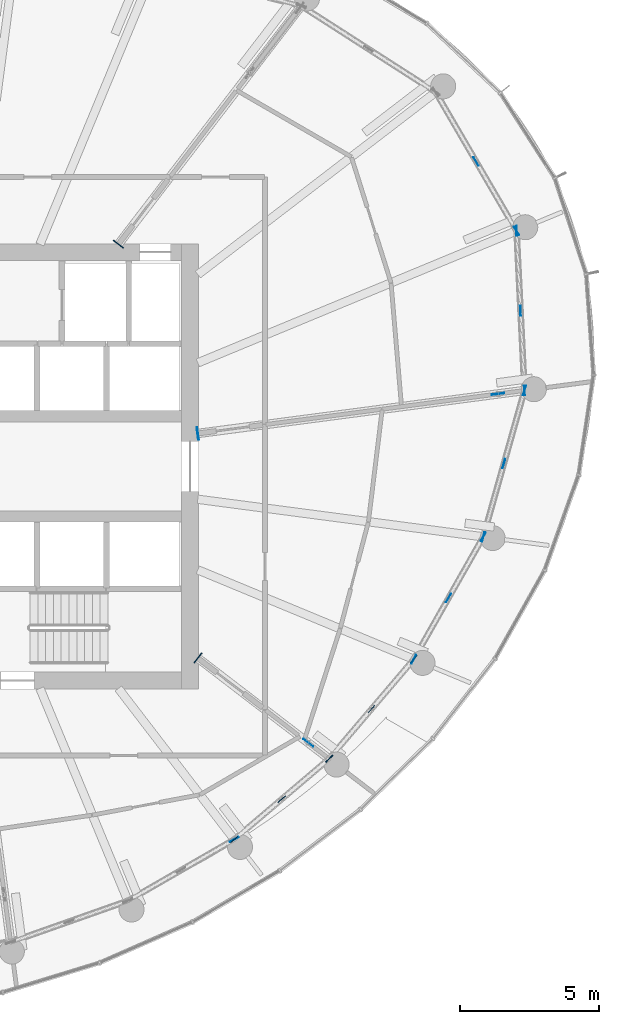
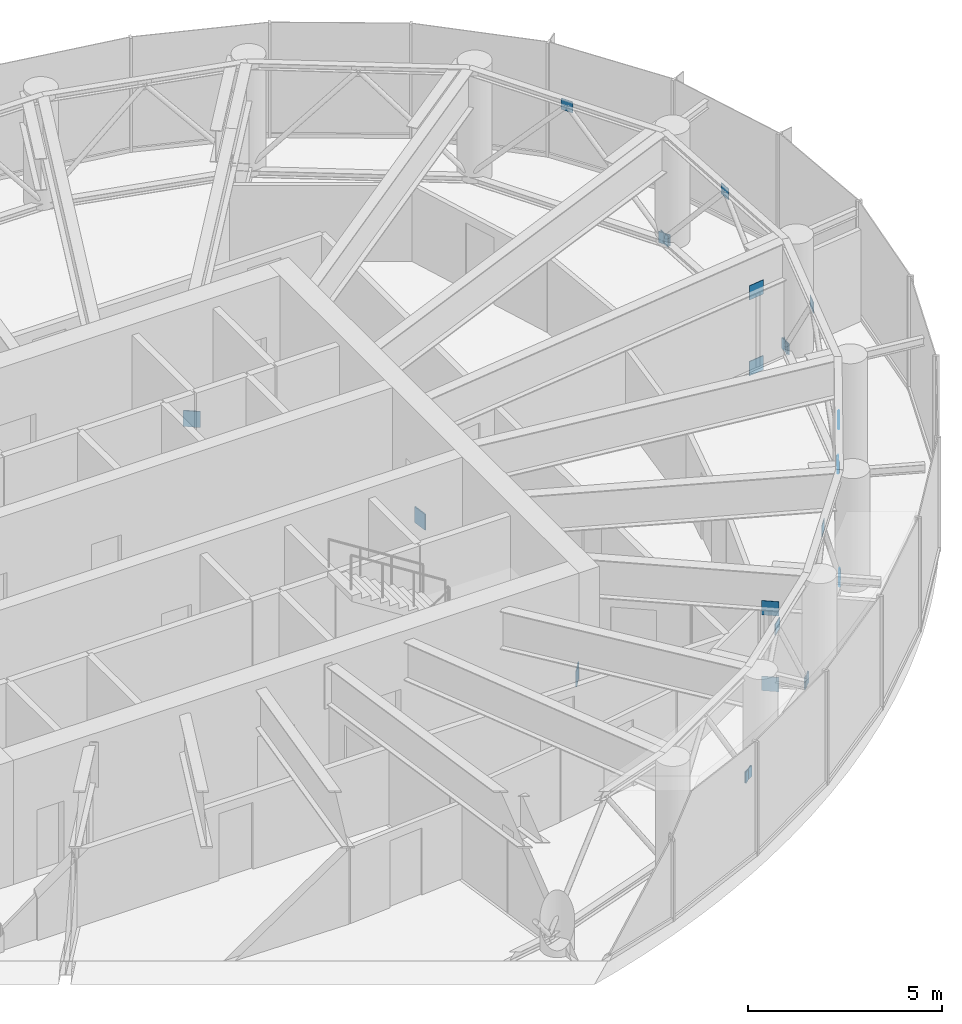
# One storey, part 23 of 26: 25 discrete accessories.
"""IFC4 building model written with IfcOpenShell, lengths in metres."""

from ifc_helpers import new_model, si_unit, direction, frame, origin, origin_2d, place, context, subcontext, project, spatial, rectangle, extrude, source, transform, mapped, material, layer, layer_set, type_object, element, save


model = new_model("IFC4")

# Units and contexts
model_context = context("Model", 3, precision=1e-05, world=origin(), true_north=direction((0.0, 1.0)))
body_context = subcontext(model_context, "Body", "Model", "MODEL_VIEW")
ifc_project = project(units=[si_unit("LENGTHUNIT", "METRE"), si_unit("AREAUNIT", "SQUARE_METRE"), si_unit("VOLUMEUNIT", "CUBIC_METRE"), si_unit("PLANEANGLEUNIT", "RADIAN"), si_unit("MASSUNIT", "GRAM", prefix="KILO")], contexts=[model_context])

# Site, building, storey
site_placement = place(None, origin())
site = spatial("IfcSite", under=ifc_project, at=site_placement, CompositionType="ELEMENT")
building_placement = place(site_placement, origin())
building = spatial("IfcBuilding", under=site, at=building_placement, Name="Spindrift Exchange Tower", CompositionType="ELEMENT")
storey_placement = place(building_placement, frame((0.0, 0.0, 230.60009765625)))
storey = spatial("IfcBuildingStorey", under=building, at=storey_placement, Name="L56", CompositionType="ELEMENT", Elevation=230.60009765625)

# Discrete accessories
ifc_material = material(Name="Steel Grade 350", Category="steel")
ifc_layer_1 = layer(ifc_material, 0.031982421875)
ifc_layer_set_1 = layer_set([ifc_layer_1], Name="Cast-in plate 450x500x32 Steel Grade 350")
discrete_accessory_type_1 = type_object("IfcDiscreteAccessoryType", Name="Cast-in plate 450x500x32 Steel Grade 350", PredefinedType="USERDEFINED", material=ifc_layer_set_1)
shared_shape_1 = source(origin(), body_context, "Body", "SweptSolid", [
    extrude(rectangle(XDim=0.031982421875, YDim=0.449951171875, at=origin_2d()), origin(), (0.0, 0.0, 1.0), 0.5),
])
for number, where, z_axis, x_axis, name in (
    (1, (60.980224609375, 49.182373046875, -0.404052734375), (0.0, 0.0, 1.0), (0.991444861374, 0.13052619222, 0.0), "L56 cast-in plate CP2 01"),
    (2, (58.12646484375, 55.984130859375, -0.404052734375), (0.0, 0.0, 1.0), (0.608761429009, 0.793353340291, 0.0), "L56 cast-in plate CP2 04"),
    (3, (60.984130859375, 41.106201171875, -0.404052734375), (0.0, 0.0, 1.0), (0.793353340291, -0.608761429009, 0.0), "L56 cast-in plate CP2 22"),
):
    element("IfcDiscreteAccessory", number, at=place(storey_placement, frame(where, z_axis=z_axis, x_axis=x_axis)), inside=storey, type_object=discrete_accessory_type_1, Name=name, ObjectType="Cast-in plate", PredefinedType="USERDEFINED", context=body_context, shape_type="MappedRepresentation", body=[
        mapped(shared_shape_1, transform((0.0, 0.0, 0.0), scale=1.0)),
    ])
ifc_layer_2 = layer(ifc_material, 0.02490234375)
ifc_layer_set_2 = layer_set([ifc_layer_2], Name="Gusset plate 450x450x25 Steel Grade 350")
discrete_accessory_type_2 = type_object("IfcDiscreteAccessoryType", Name="Gusset plate 450x450x25 Steel Grade 350", PredefinedType="USERDEFINED", material=ifc_layer_set_2)
shared_shape_2 = source(origin(), body_context, "Body", "SweptSolid", [
    extrude(rectangle(XDim=0.449951171875, YDim=0.02490234375, at=origin_2d()), origin(), (0.0, 0.0, 1.0), 0.449951171875),
])
for number, where, z_axis, x_axis, name in (
    (4, (71.77734375, 50.603759765625, -0.22509765625), (0.0, 0.0, 1.0), (0.991444861374, 0.13052619222, 0.0), "L56 gusset plate GP1 01"),
    (5, (71.77734375, 50.603759765625, 2.15478515625), (0.0, 0.0, 1.0), (0.991444861374, 0.13052619222, 0.0), "L56 gusset plate GP1 01"),
    (6, (64.953125, 38.060791015625, -0.22509765625), (0.0, 0.0, 1.0), (0.793353340291, -0.608761429009, 0.0), "L56 gusset plate GP1 22"),
    (7, (64.953125, 38.060791015625, 2.15478515625), (0.0, 0.0, 1.0), (0.793353340291, -0.608761429009, 0.0), "L56 gusset plate GP1 22"),
):
    element("IfcDiscreteAccessory", number, at=place(storey_placement, frame(where, z_axis=z_axis, x_axis=x_axis)), inside=storey, type_object=discrete_accessory_type_2, Name=name, ObjectType="Gusset plate", PredefinedType="USERDEFINED", context=body_context, shape_type="MappedRepresentation", body=[
        mapped(shared_shape_2, transform((0.0, 0.0, 0.0), scale=1.0)),
    ])
ifc_layer_3 = layer(ifc_material, 0.02001953125)
ifc_layer_set_3 = layer_set([ifc_layer_3], Name="Gusset plate 350x350x20 Steel Grade 350")
discrete_accessory_type_3 = type_object("IfcDiscreteAccessoryType", Name="Gusset plate 350x350x20 Steel Grade 350", PredefinedType="USERDEFINED", material=ifc_layer_set_3)
shared_shape_3 = source(origin(), body_context, "Body", "SweptSolid", [
    extrude(rectangle(XDim=0.35009765625, YDim=0.02001953125, at=origin_2d()), origin(), (0.0, 0.0, 1.0), 0.35009765625),
])
for number, where, z_axis, x_axis, name in (
    (8, (72.72509765625, 50.728515625, 0.02783203125), (0.0, 0.0, 1.0), (-0.049818991179, 0.998758263104, 0.0), "L56 gusset plate GP2 01"),
    (9, (72.58203125, 53.597412109375, 3.201904296875), (0.0, 0.0, 1.0), (-0.049818991179, 0.998758263104, 0.0), "L56 gusset plate GP2 01"),
    (10, (72.43896484375, 56.466064453125, 0.02783203125), (0.0, 0.0, 1.0), (-0.049818991179, 0.998758263104, 0.0), "L56 gusset plate GP2 01"),
    (11, (72.43896484375, 56.466064453125, 0.02783203125), (0.0, 0.0, 1.0), (-0.503549316084, 0.86396648446, 0.0), "L56 gusset plate GP2 02"),
    (12, (70.985595703125, 58.959716796875, 3.201904296875), (0.0, 0.0, 1.0), (-0.503549316084, 0.86396648446, 0.0), "L56 gusset plate GP2 02"),
    (13, (62.292236328125, 34.586669921875, 0.02783203125), (0.0, 0.0, 1.0), (0.866362927419, 0.499414935694, 0.0), "L56 gusset plate GP2 20"),
    (14, (62.292236328125, 34.586669921875, 0.02783203125), (0.0, 0.0, 1.0), (0.76167968724, 0.647953743755, 0.0), "L56 gusset plate GP2 21"),
    (15, (63.996826171875, 36.03662109375, 3.201904296875), (0.0, 0.0, 1.0), (0.76167968724, 0.647953743755, 0.0), "L56 gusset plate GP2 21"),
    (16, (65.701416015625, 37.48681640625, 0.02783203125), (0.0, 0.0, 1.0), (0.76167968724, 0.647953743755, 0.0), "L56 gusset plate GP2 21"),
    (17, (65.701416015625, 37.48681640625, 0.02783203125), (0.0, 0.0, 1.0), (0.64806673408, 0.761583552986, 0.0), "L56 gusset plate GP2 22"),
    (18, (67.223388671875, 39.275390625, 3.201904296875), (0.0, 0.0, 1.0), (0.64806673408, 0.761583552986, 0.0), "L56 gusset plate GP2 22"),
    (19, (68.745361328125, 41.06396484375, 0.02783203125), (0.0, 0.0, 1.0), (0.64806673408, 0.761583552986, 0.0), "L56 gusset plate GP2 22"),
    (20, (68.745361328125, 41.06396484375, 0.02783203125), (0.0, 0.0, 1.0), (0.493579127992, 0.869700893647, 0.0), "L56 gusset plate GP2 23"),
    (21, (69.99462890625, 43.26513671875, 3.201904296875), (0.0, 0.0, 1.0), (0.493579127992, 0.869700893647, 0.0), "L56 gusset plate GP2 23"),
    (22, (71.243896484375, 45.466552734375, 0.02783203125), (0.0, 0.0, 1.0), (0.493579127992, 0.869700893647, 0.0), "L56 gusset plate GP2 23"),
    (23, (71.243896484375, 45.466552734375, 0.02783203125), (0.0, 0.0, 1.0), (0.270993593489, 0.962581151014, 0.0), "L56 gusset plate GP2 24"),
    (24, (71.984619140625, 48.097412109375, 3.201904296875), (0.0, 0.0, 1.0), (0.270993593489, 0.962581151014, 0.0), "L56 gusset plate GP2 24"),
    (25, (72.72509765625, 50.728515625, 0.02783203125), (0.0, 0.0, 1.0), (0.270959992903, 0.962590609889, 0.0), "L56 gusset plate GP2 24"),
):
    element("IfcDiscreteAccessory", number, at=place(storey_placement, frame(where, z_axis=z_axis, x_axis=x_axis)), inside=storey, type_object=discrete_accessory_type_3, Name=name, ObjectType="Gusset plate", PredefinedType="USERDEFINED", context=body_context, shape_type="MappedRepresentation", body=[
        mapped(shared_shape_3, transform((0.0, 0.0, 0.0), scale=1.0)),
    ])

save(model, "model.ifc")
